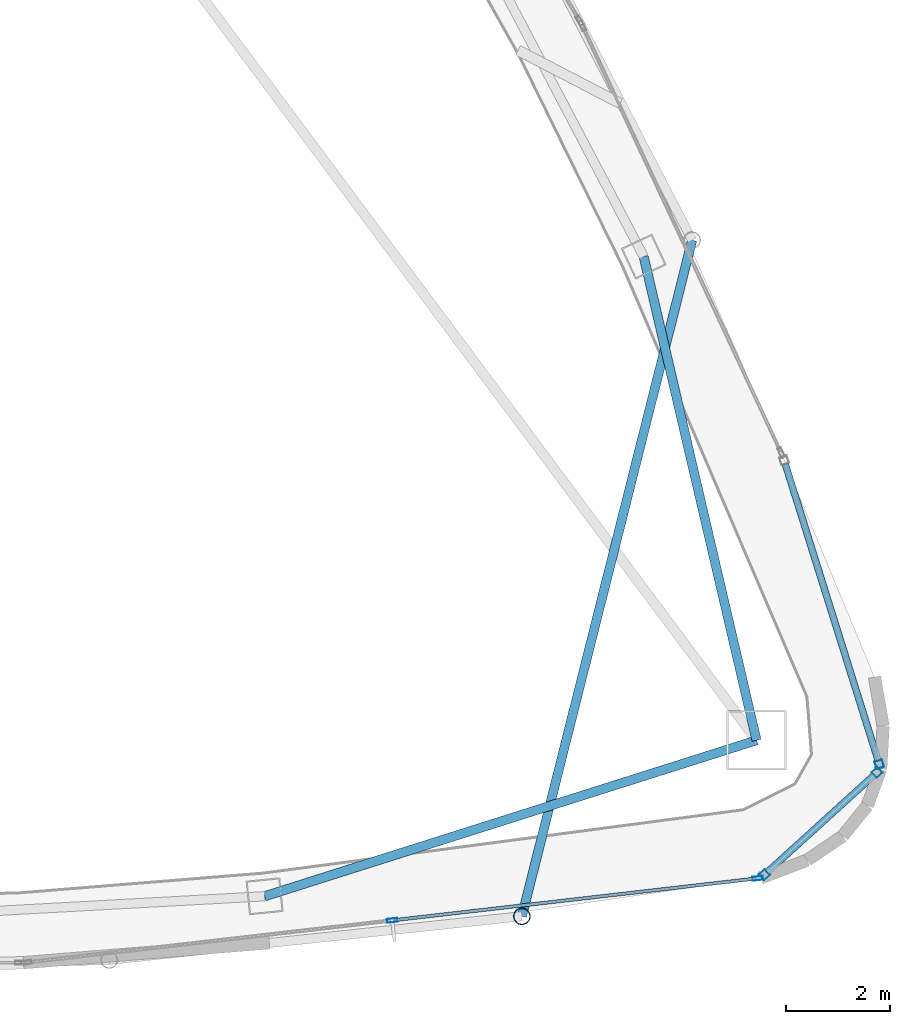
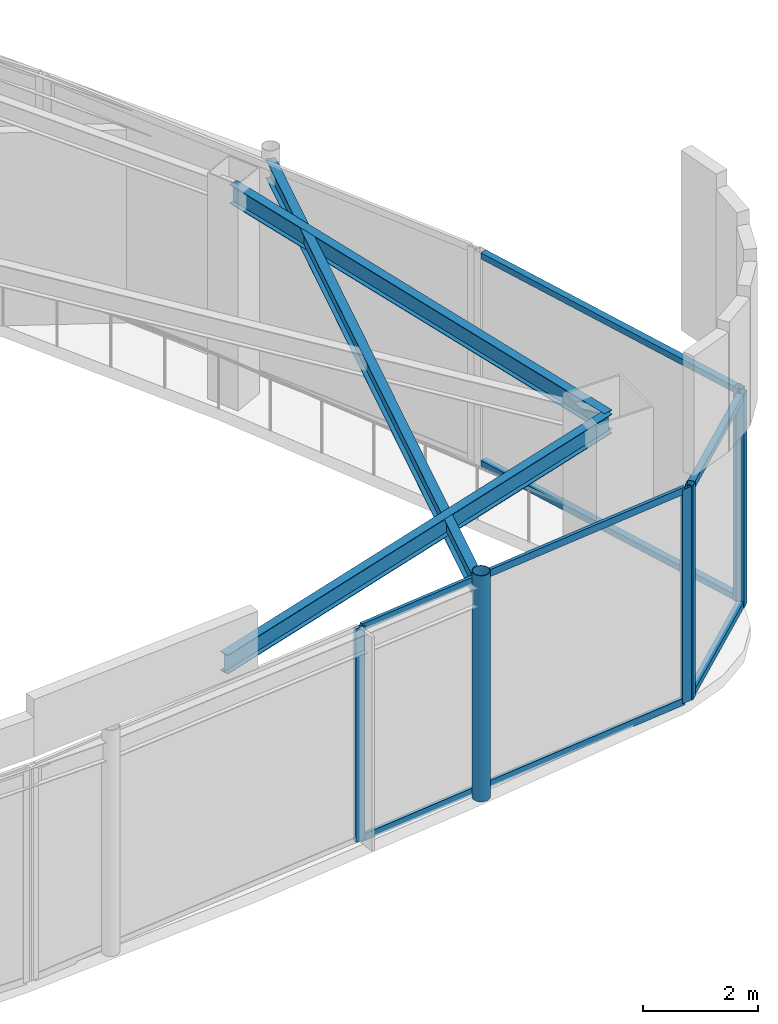
# One storey, part 11 of 18: 12 members, 3 beams, 3 elements without a shape of their own.
"""IFC4 building model written with IfcOpenShell, lengths in metres."""

import ifcopenshell
import ifcopenshell.guid

model = None  # the IFC model being written
_history = None  # IfcOwnerHistory: only IFC2X3 demands one
_inside = {}  # id of a spatial element -> (the spatial element, [elements in it])
_under = {}  # id of a project, library or spatial element -> (it, [spatial elements below it])
_declared = {}  # id of a project -> (the project, [libraries it declares])
_typed = {}  # id of a type object -> (the type object, [elements of that type])
_made_of = {}  # id of a material, layer set ... -> (it, [elements and type objects made of it])


def new_model(schema):
    """Start an empty IFC model of exactly this schema.

    Asked for "IFC4X3", IfcOpenShell would pick the latest addendum, in which some entities
    have other attributes; the version numbers below select the first issue.
    IFC2X3 requires an IfcOwnerHistory on every rooted entity: one is made here for all.
    """
    global model, _history
    if schema == "IFC4X3":
        model = ifcopenshell.file(schema_version=(4, 3, 0, 0))
    else:
        model = ifcopenshell.file(schema=schema)
    _inside.clear()
    _under.clear()
    _declared.clear()
    _typed.clear()
    _made_of.clear()
    _history = None
    if model.schema == "IFC2X3":
        org = make("IfcOrganization", Name="unknown")
        user = make(
            "IfcPersonAndOrganization",
            ThePerson=make("IfcPerson", FamilyName="unknown"),
            TheOrganization=org,
        )
        app = make(
            "IfcApplication",
            ApplicationDeveloper=org,
            Version="unknown",
            ApplicationFullName="unknown",
            ApplicationIdentifier="unknown",
        )
        _history = make(
            "IfcOwnerHistory",
            OwningUser=user,
            OwningApplication=app,
            ChangeAction="ADDED",
            CreationDate=0,
        )
    return model


def make(cls, **values):
    """One entity of the class cls with the attributes given. An attribute that is None is left unset."""
    return model.create_entity(
        cls, **{name: value for name, value in values.items() if value is not None}
    )


def rooted(cls, **values):
    """An entity with a GlobalId (a new one), such as an element, a storey or a relation."""
    return make(cls, GlobalId=ifcopenshell.guid.new(), OwnerHistory=_history, **values)


def si_unit(unit_type, name, prefix=None):
    """IfcSIUnit, for example si_unit("LENGTHUNIT", "METRE", prefix="MILLI")."""
    return make("IfcSIUnit", UnitType=unit_type, Prefix=prefix, Name=name)


def assignment(units):
    """IfcUnitAssignment: the units of a project."""
    return None if units is None else make("IfcUnitAssignment", Units=units)


def point(xyz):
    """IfcCartesianPoint."""
    return None if xyz is None else make("IfcCartesianPoint", Coordinates=xyz)


def direction(xyz):
    """IfcDirection."""
    return None if xyz is None else make("IfcDirection", DirectionRatios=xyz)


def frame(location, z_axis=None, x_axis=None):
    """IfcAxis2Placement3D, a coordinate frame: its origin and axes. An axis left out is left unset."""
    return make(
        "IfcAxis2Placement3D",
        Location=point(location),
        Axis=direction(z_axis),
        RefDirection=direction(x_axis),
    )


def frame_2d(location, x_axis=None):
    """IfcAxis2Placement2D, a coordinate frame in the plane: its origin and x axis."""
    return make(
        "IfcAxis2Placement2D", Location=point(location), RefDirection=direction(x_axis)
    )


def origin():
    """The frame at (0, 0, 0) with its axes left unset."""
    return frame((0.0, 0.0, 0.0))


def origin_2d():
    """The frame at (0, 0) in the plane with its x axis left unset."""
    return frame_2d((0.0, 0.0))


def place(relative_to, where):
    """IfcLocalPlacement: puts the frame where relative to a parent placement (None: the world)."""
    return make(
        "IfcLocalPlacement", PlacementRelTo=relative_to, RelativePlacement=where
    )


def context(
    kind, dimensions, precision=None, world=None, true_north=None, identifier=None
):
    """IfcGeometricRepresentationContext, for example the 3D "Model" context."""
    return make(
        "IfcGeometricRepresentationContext",
        ContextIdentifier=identifier,
        ContextType=kind,
        CoordinateSpaceDimension=dimensions,
        Precision=precision,
        WorldCoordinateSystem=world,
        TrueNorth=true_north,
    )


def subcontext(parent, identifier, kind, view, scale=None):
    """IfcGeometricRepresentationSubContext, for example "Body" below "Model"."""
    return make(
        "IfcGeometricRepresentationSubContext",
        ContextIdentifier=identifier,
        ContextType=kind,
        ParentContext=parent,
        TargetScale=scale,
        TargetView=view,
    )


def project(units=None, contexts=None):
    """IfcProject with its units and contexts."""
    return rooted(
        "IfcProject",
        Name="project",
        RepresentationContexts=contexts,
        UnitsInContext=assignment(units),
    )


def spatial(cls, under=None, at=None, **own):
    """A site, building, storey or space (cls), placed at a placement, below another one or the project."""
    s = rooted(cls, ObjectPlacement=at, **own)
    if under is not None:
        _under.setdefault(under.id(), (under, []))[1].append(s)
    return s


def profile(cls, at=None, kind="AREA", **sizes):
    """A parametric profile (cls). Its sizes go by their IFC names, for example OverallWidth=200.0."""
    return make(cls, ProfileType=kind, Position=at, **sizes)


def hollow_rectangle(**sizes):
    """IfcRectangleHollowProfileDef."""
    return profile("IfcRectangleHollowProfileDef", **sizes)


def hollow_circle(**sizes):
    """IfcCircleHollowProfileDef."""
    return profile("IfcCircleHollowProfileDef", **sizes)


def i_section(**sizes):
    """IfcIShapeProfileDef."""
    return profile("IfcIShapeProfileDef", **sizes)


def extrude(swept, where, along, depth):
    """IfcExtrudedAreaSolid: the profile swept, set in the frame where, extruded along a direction by depth."""
    return make(
        "IfcExtrudedAreaSolid",
        SweptArea=swept,
        Position=where,
        ExtrudedDirection=direction(along),
        Depth=depth,
    )


def shape(context_of_items, identifier, shape_type, items):
    """IfcShapeRepresentation: the items that make up one representation, for example the "Body"."""
    return make(
        "IfcShapeRepresentation",
        ContextOfItems=context_of_items,
        RepresentationIdentifier=identifier,
        RepresentationType=shape_type,
        Items=items,
    )


def material(Name=None, Category=None):
    """IfcMaterial."""
    return make("IfcMaterial", Name=Name, Category=Category)


def layer(
    of_material, thickness, ventilated=None, Name=None, Category=None, Priority=None
):
    """IfcMaterialLayer: one layer of a wall or slab, of a material (None: an air gap)."""
    return make(
        "IfcMaterialLayer",
        Material=of_material,
        LayerThickness=thickness,
        IsVentilated=ventilated,
        Name=Name,
        Category=Category,
        Priority=Priority,
    )


def layer_set(layers, Name=None):
    """IfcMaterialLayerSet."""
    return make("IfcMaterialLayerSet", MaterialLayers=layers, LayerSetName=Name)


def material_profile(
    of_material, cross_section, Name=None, Category=None, Priority=None
):
    """IfcMaterialProfile: a cross section and its material."""
    return make(
        "IfcMaterialProfile",
        Name=Name,
        Material=of_material,
        Profile=cross_section,
        Priority=Priority,
        Category=Category,
    )


def profile_set(profiles, Name=None, composite=None):
    """IfcMaterialProfileSet."""
    return make(
        "IfcMaterialProfileSet",
        Name=Name,
        MaterialProfiles=profiles,
        CompositeProfile=composite,
    )


def made_of(thing, what):
    """Note that an element or type object is made of a material, layer set ...; save() writes the relation."""
    if what is not None:
        _made_of.setdefault(what.id(), (what, []))[1].append(thing)
    return thing


def type_object(cls, material=None, **own):
    """A type object (cls), such as IfcWallType, which elements share."""
    return made_of(rooted(cls, **own), material)


def element(
    cls,
    number,
    at=None,
    inside=None,
    cuts=None,
    type_object=None,
    material=None,
    context=None,
    identifier="Body",
    shape_type=None,
    held_by="IfcProductDefinitionShape",
    body=None,
    shapes=None,
    **own,
):
    """One element of the class cls, such as IfcWall. Its Tag is "e" and its number.

    at: its placement. inside: the storey or other place that contains it. cuts: it is an
    opening in that element (IfcRelVoidsElement). A single representation is given by context,
    identifier, shape_type and body (its items); several are given by shapes. held_by: the class
    of the entity that holds the representations. save() writes the other relations.
    """
    e = rooted(cls, Tag="e%d" % number, ObjectPlacement=at, **own)
    if body is not None:
        shapes = [shape(context, identifier, shape_type, body)]
    if shapes is not None:
        e.Representation = make(held_by, Representations=shapes)
    if inside is not None:
        _inside.setdefault(inside.id(), (inside, []))[1].append(e)
    if cuts is not None:
        rooted(
            "IfcRelVoidsElement", RelatingBuildingElement=cuts, RelatedOpeningElement=e
        )
    if type_object is not None:
        _typed.setdefault(type_object.id(), (type_object, []))[1].append(e)
    return made_of(e, material)


def aggregate(whole, parts):
    """IfcRelAggregates: a whole, such as a stair, and the parts it consists of."""
    return rooted("IfcRelAggregates", RelatingObject=whole, RelatedObjects=parts)


def save(model, path):
    """Write the relations noted so far, then the file.

    IfcRelAggregates (storeys below a building ...), IfcRelContainedInSpatialStructure (elements
    in a storey), IfcRelDefinesByType, IfcRelAssociatesMaterial and IfcRelDeclares: one each for
    every whole, place, type object, material and project.
    """
    for whole, parts in _under.values():
        aggregate(whole, parts)
    for where, things in _inside.values():
        rooted(
            "IfcRelContainedInSpatialStructure",
            RelatedElements=things,
            RelatingStructure=where,
        )
    for kind, things in _typed.values():
        rooted("IfcRelDefinesByType", RelatedObjects=things, RelatingType=kind)
    for what, things in _made_of.values():
        rooted("IfcRelAssociatesMaterial", RelatedObjects=things, RelatingMaterial=what)
    for by, libraries in _declared.values():
        rooted("IfcRelDeclares", RelatingContext=by, RelatedDefinitions=libraries)
    model.write(path)


model = new_model("IFC4")

# Units and contexts
model_context = context("Model", 3, precision=1e-05, world=origin(), true_north=direction((0.0, 1.0)))
body_context = subcontext(model_context, "Body", "Model", "MODEL_VIEW")
ifc_project = project(units=[si_unit("LENGTHUNIT", "METRE"), si_unit("AREAUNIT", "SQUARE_METRE"), si_unit("VOLUMEUNIT", "CUBIC_METRE"), si_unit("PLANEANGLEUNIT", "RADIAN"), si_unit("MASSUNIT", "GRAM", prefix="KILO")], contexts=[model_context])

# Site, building, storey
site_placement = place(None, origin())
site = spatial("IfcSite", under=ifc_project, at=site_placement, CompositionType="ELEMENT")
building_placement = place(site_placement, origin())
building = spatial("IfcBuilding", under=site, at=building_placement, Name="Orvanel Arch Residences", CompositionType="ELEMENT")
storey_placement = place(building_placement, frame((0.0, 0.0, 310.10009765625)))
storey = spatial("IfcBuildingStorey", under=building, at=storey_placement, Name="L86", CompositionType="ELEMENT", Elevation=310.10009765625)

# Curtain wall, members
ifc_material_1 = material(Name="Bronze-anodised aluminium AA6063-T6", Category="aluminium")
ifc_layer = layer(ifc_material_1, 0.2099609375)
ifc_layer_set = layer_set([ifc_layer], Name="Bronze-anodised aluminium AA6063-T6")
curtain_wall_type = type_object("IfcCurtainWallType", Name="CW7-TOP-SYS", PredefinedType="NOTDEFINED", material=ifc_layer_set)
curtain_wall_1_placement = place(storey_placement, origin())
curtain_wall_1 = element("IfcCurtainWall", 1, at=curtain_wall_1_placement, inside=storey, type_object=curtain_wall_type, Name="L86 CW7-TOP-SYS Unitised Curtain Wall", PredefinedType="NOTDEFINED")
ifc_material_profile_1 = material_profile(ifc_material_1, hollow_rectangle(XDim=0.14990234375, YDim=0.14990234375, WallThickness=0.0048828125, at=origin_2d()), Name="ALU150x150x5")
ifc_profile_set_1 = profile_set([ifc_material_profile_1], Name="Bronze-anodised aluminium AA6063-T6")
member_type_1 = type_object("IfcMemberType", Name="MUL-150x150", PredefinedType="MULLION", material=ifc_profile_set_1)
member_1_placement = place(storey_placement, frame((51.95361328125, 7.76953125, 0.0), z_axis=(0.0, 0.0, 1.0), x_axis=(-0.672462257522, 0.740131415499, 0.0)))
member_1 = element("IfcMember", 2, at=member_1_placement, type_object=member_type_1, Name="CW-S7 mullion 1", PredefinedType="MULLION", context=body_context, shape_type="SweptSolid", body=[
    extrude(hollow_rectangle(XDim=0.14990234375, YDim=0.14990234375, WallThickness=0.0048828125, at=origin_2d()), origin(), (0.0, 0.0, 1.0), 4.539794921875),
])
member_2_placement = place(storey_placement, frame((54.117431640625, 9.735595703125, 0.0), z_axis=(0.0, 0.0, 1.0), x_axis=(-0.672462257522, 0.740131415499, 0.0)))
member_2 = element("IfcMember", 3, at=member_2_placement, type_object=member_type_1, Name="CW-S7 mullion 2", PredefinedType="MULLION", context=body_context, shape_type="SweptSolid", body=[
    extrude(hollow_rectangle(XDim=0.14990234375, YDim=0.14990234375, WallThickness=0.0048828125, at=origin_2d()), origin(), (0.0, 0.0, 1.0), 4.539794921875),
])

# Curtain wall, member
curtain_wall_2_placement = place(storey_placement, origin())
curtain_wall_2 = element("IfcCurtainWall", 4, at=curtain_wall_2_placement, inside=storey, type_object=curtain_wall_type, Name="L86 CW7-TOP-SYS Unitised Curtain Wall", PredefinedType="NOTDEFINED")
member_3_placement = place(storey_placement, frame((54.15966796875, 9.8896484375, 0.0), z_axis=(0.0, 0.0, 1.0), x_axis=(-0.954283945864, -0.298901573542, 0.0)))
member_3 = element("IfcMember", 5, at=member_3_placement, type_object=member_type_1, Name="CW-S7 mullion 1", PredefinedType="MULLION", context=body_context, shape_type="SweptSolid", body=[
    extrude(hollow_rectangle(XDim=0.14990234375, YDim=0.14990234375, WallThickness=0.0048828125, at=origin_2d()), origin(), (0.0, 0.0, 1.0), 4.539794921875),
])

# Curtain wall, members
curtain_wall_3_placement = place(storey_placement, origin())
curtain_wall_3 = element("IfcCurtainWall", 6, at=curtain_wall_3_placement, inside=storey, type_object=curtain_wall_type, Name="L86 CW7-TOP-SYS Unitised Curtain Wall", PredefinedType="NOTDEFINED")
ifc_material_profile_2 = material_profile(ifc_material_1, hollow_rectangle(XDim=0.074951171875, YDim=0.199951171875, WallThickness=0.0048828125, at=origin_2d()), Name="ALU200x75x5")
ifc_profile_set_2 = profile_set([ifc_material_profile_2], Name="Bronze-anodised aluminium AA6063-T6")
member_type_2 = type_object("IfcMemberType", Name="MUL-200x75", PredefinedType="MULLION", material=ifc_profile_set_2)
member_4_placement = place(storey_placement, frame((44.802001953125, 6.89208984375, 0.0), z_axis=(0.0, 0.0, 1.0), x_axis=(-0.11424494002, 0.9934526127, 0.0)))
member_4 = element("IfcMember", 7, at=member_4_placement, type_object=member_type_2, Name="CW-S7 mullion 2", PredefinedType="MULLION", context=body_context, shape_type="SweptSolid", body=[
    extrude(hollow_rectangle(XDim=0.074951171875, YDim=0.199951171875, WallThickness=0.0048828125, at=origin_2d()), origin(), (0.0, 0.0, 1.0), 4.539794921875),
])
member_5_placement = place(storey_placement, frame((51.82568359375, 7.69970703125, 0.0), z_axis=(0.0, 0.0, 1.0), x_axis=(-0.11424494002, 0.9934526127, 0.0)))
member_5 = element("IfcMember", 8, at=member_5_placement, type_object=member_type_2, Name="CW-S7 mullion 3", PredefinedType="MULLION", context=body_context, shape_type="SweptSolid", body=[
    extrude(hollow_rectangle(XDim=0.074951171875, YDim=0.199951171875, WallThickness=0.0048828125, at=origin_2d()), origin(), (0.0, 0.0, 1.0), 4.539794921875),
])

# Beams
ifc_material_2 = material(Name="Structural steel AS/NZS 3679.1 Grade 300 (300 MPa)", Category="steel")
ifc_material_profile_3 = material_profile(ifc_material_2, i_section(OverallWidth=0.177978515625, OverallDepth=0.406005859375, WebThickness=0.0078125, FlangeThickness=0.0126953125, at=origin_2d()), Name="410UB59.7")
ifc_profile_set_3 = profile_set([ifc_material_profile_3], Name="Structural steel AS/NZS 3679.1 Grade 300 (300 MPa)")
beam_type_1 = type_object("IfcBeamType", Name="OB-410UB", PredefinedType="SPANDREL", material=ifc_profile_set_3)
beam_1_placement = place(storey_placement, frame((42.35107421875, 7.35498046875, 4.3369140625), z_axis=(0.953237386592, 0.302222574941, 0.0), x_axis=(-0.302222574941, 0.953237386592, 0.0)))
element("IfcBeam", 9, at=beam_1_placement, inside=storey, type_object=beam_type_1, Name="L86 Perimeter Spandrel Beam 05", PredefinedType="SPANDREL", context=body_context, shape_type="SweptSolid", body=[
    extrude(i_section(OverallWidth=0.177978515625, OverallDepth=0.406005859375, WebThickness=0.0078125, FlangeThickness=0.0126953125, at=origin_2d()), origin(), (0.0, 0.0, 1.0), 9.91357421875),
])
beam_2_placement = place(storey_placement, frame((51.801025390625, 10.35107421875, 4.3369140625), z_axis=(-0.227236087167, 0.973839699688, 0.0), x_axis=(-0.973839699688, -0.227236087167, 0.0)))
element("IfcBeam", 10, at=beam_2_placement, inside=storey, type_object=beam_type_1, Name="L86 Perimeter Spandrel Beam 06", PredefinedType="SPANDREL", context=body_context, shape_type="SweptSolid", body=[
    extrude(i_section(OverallWidth=0.177978515625, OverallDepth=0.406005859375, WebThickness=0.0078125, FlangeThickness=0.0126953125, at=origin_2d()), origin(), (0.0, 0.0, 1.0), 9.54052734375),
])
ifc_material_profile_4 = material_profile(ifc_material_2, i_section(OverallWidth=0.177978515625, OverallDepth=0.406005859375, WebThickness=0.0078125, FlangeThickness=0.0126953125, at=origin_2d()), Name="410UB59.7")
ifc_profile_set_4 = profile_set([ifc_material_profile_4], Name="Structural steel AS/NZS 3679.1 Grade 300 (300 MPa)")
beam_type_2 = type_object("IfcBeamType", Name="OB-410UB-EXT", PredefinedType="SPANDREL", material=ifc_profile_set_4)
beam_3_placement = place(storey_placement, frame((47.29296875, 6.969970703125, 4.3369140625), z_axis=(0.244220827224, 0.969719643789, 0.0), x_axis=(-0.969719643789, 0.244220827224, 0.0)))
element("IfcBeam", 11, at=beam_3_placement, inside=storey, type_object=beam_type_2, Name="L86 Outer Perimeter Floor Ring Beam 08", PredefinedType="SPANDREL", context=body_context, shape_type="SweptSolid", body=[
    extrude(i_section(OverallWidth=0.177978515625, OverallDepth=0.406005859375, WebThickness=0.0078125, FlangeThickness=0.0126953125, at=origin_2d()), origin(), (0.0, 0.0, 1.0), 13.3935546875),
])

# Member
ifc_material_3 = material(Name="Structural steel AS/NZS 1163 C350L0 (Grade 350)", Category="steel")
ifc_material_profile_5 = material_profile(ifc_material_3, hollow_circle(Radius=0.162109375, WallThickness=0.0126953125, at=origin_2d()), Name="CHS324x12.7")
ifc_profile_set_5 = profile_set([ifc_material_profile_5], Name="Structural steel AS/NZS 1163 C350L0 (Grade 350)")
member_type_3 = type_object("IfcMemberType", Name="ST-324CHS-EXT", PredefinedType="STRUT", material=ifc_profile_set_5)
member_6_placement = place(storey_placement, frame((47.29296875, 6.969970703125, 0.0), z_axis=(0.0, 0.0, 1.0), x_axis=(1.0, 0.0, 0.0)))
element("IfcMember", 12, at=member_6_placement, inside=storey, type_object=member_type_3, Name="L86 Outer Perimeter Frame Post 08", PredefinedType="STRUT", context=body_context, shape_type="SweptSolid", body=[
    extrude(hollow_circle(Radius=0.162109375, WallThickness=0.0126953125, at=origin_2d()), origin(), (0.0, 0.0, 1.0), 4.7998046875),
])

ifc_material_profile_6 = material_profile(ifc_material_1, hollow_rectangle(XDim=0.1298828125, YDim=0.1298828125, WallThickness=0.00439453125, at=origin_2d()), Name="ALU130x130x4.5")
ifc_profile_set_6 = profile_set([ifc_material_profile_6], Name="Bronze-anodised aluminium AA6063-T6")
member_type_4 = type_object("IfcMemberType", Name="TRN-130x130", PredefinedType="USERDEFINED", material=ifc_profile_set_6)
member_7_placement = place(storey_placement, frame((52.009033203125, 7.81982421875, 0.06494140625), z_axis=(0.740139175593, 0.672453716439, 0.0), x_axis=(-0.672453716439, 0.740139175593, 0.0)))
member_7 = element("IfcMember", 13, at=member_7_placement, type_object=member_type_4, Name="CW-S7 transom 1.1", ObjectType="TRANSOM", PredefinedType="USERDEFINED", context=body_context, shape_type="SweptSolid", body=[
    extrude(hollow_rectangle(XDim=0.1298828125, YDim=0.1298828125, WallThickness=0.00439453125, at=origin_2d()), origin(), (0.0, 0.0, 1.0), 2.773681640625),
])

member_8_placement = place(storey_placement, frame((52.009033203125, 7.81982421875, 4.474853515625), z_axis=(0.740139175593, 0.672453716439, 0.0), x_axis=(-0.672453716439, 0.740139175593, 0.0)))
member_8 = element("IfcMember", 14, at=member_8_placement, type_object=member_type_4, Name="CW-S7 transom 1.2", ObjectType="TRANSOM", PredefinedType="USERDEFINED", context=body_context, shape_type="SweptSolid", body=[
    extrude(hollow_rectangle(XDim=0.1298828125, YDim=0.1298828125, WallThickness=0.00439453125, at=origin_2d()), origin(), (0.0, 0.0, 1.0), 2.773681640625),
])

aggregate(curtain_wall_1, [member_1, member_2, member_7, member_8])

member_9_placement = place(storey_placement, frame((54.13720703125, 9.961181640625, 0.06494140625), z_axis=(-0.298912971075, 0.954280375845, 0.0), x_axis=(-0.954280375845, -0.298912971075, 0.0)))
member_9 = element("IfcMember", 15, at=member_9_placement, type_object=member_type_4, Name="CW-S7 transom 1.1", ObjectType="TRANSOM", PredefinedType="USERDEFINED", context=body_context, shape_type="SweptSolid", body=[
    extrude(hollow_rectangle(XDim=0.1298828125, YDim=0.1298828125, WallThickness=0.00439453125, at=origin_2d()), origin(), (0.0, 0.0, 1.0), 5.9697265625),
])

member_10_placement = place(storey_placement, frame((54.13720703125, 9.961181640625, 4.474853515625), z_axis=(-0.298912971075, 0.954280375845, 0.0), x_axis=(-0.954280375845, -0.298912971075, 0.0)))
member_10 = element("IfcMember", 16, at=member_10_placement, type_object=member_type_4, Name="CW-S7 transom 1.2", ObjectType="TRANSOM", PredefinedType="USERDEFINED", context=body_context, shape_type="SweptSolid", body=[
    extrude(hollow_rectangle(XDim=0.1298828125, YDim=0.1298828125, WallThickness=0.00439453125, at=origin_2d()), origin(), (0.0, 0.0, 1.0), 5.9697265625),
])

aggregate(curtain_wall_2, [member_3, member_9, member_10])

ifc_material_profile_7 = material_profile(ifc_material_1, hollow_rectangle(XDim=0.06494140625, YDim=0.14990234375, WallThickness=0.00390625, at=origin_2d()), Name="ALU150x65x4")
ifc_profile_set_7 = profile_set([ifc_material_profile_7], Name="Bronze-anodised aluminium AA6063-T6")
member_type_5 = type_object("IfcMemberType", Name="TRN-150x65", PredefinedType="USERDEFINED", material=ifc_profile_set_7)
member_11_placement = place(storey_placement, frame((44.83935546875, 6.896240234375, 0.032470703125), z_axis=(0.993453799179, 0.114234622144, 0.0), x_axis=(-0.114234622144, 0.993453799179, 0.0)))
member_11 = element("IfcMember", 17, at=member_11_placement, type_object=member_type_5, Name="CW-S7 transom 2.1", ObjectType="TRANSOM", PredefinedType="USERDEFINED", context=body_context, shape_type="SweptSolid", body=[
    extrude(hollow_rectangle(XDim=0.06494140625, YDim=0.14990234375, WallThickness=0.00390625, at=origin_2d()), origin(), (0.0, 0.0, 1.0), 6.9951171875),
])

member_12_placement = place(storey_placement, frame((44.83935546875, 6.896240234375, 4.50732421875), z_axis=(0.993453799179, 0.114234622144, 0.0), x_axis=(-0.114234622144, 0.993453799179, 0.0)))
member_12 = element("IfcMember", 18, at=member_12_placement, type_object=member_type_5, Name="CW-S7 transom 2.2", ObjectType="TRANSOM", PredefinedType="USERDEFINED", context=body_context, shape_type="SweptSolid", body=[
    extrude(hollow_rectangle(XDim=0.06494140625, YDim=0.14990234375, WallThickness=0.00390625, at=origin_2d()), origin(), (0.0, 0.0, 1.0), 6.9951171875),
])

aggregate(curtain_wall_3, [member_4, member_5, member_11, member_12])

save(model, "model.ifc")
